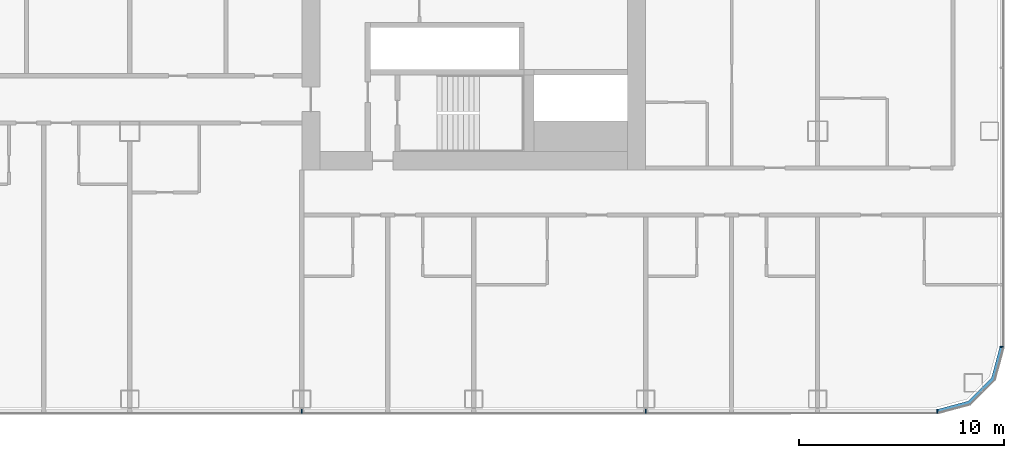
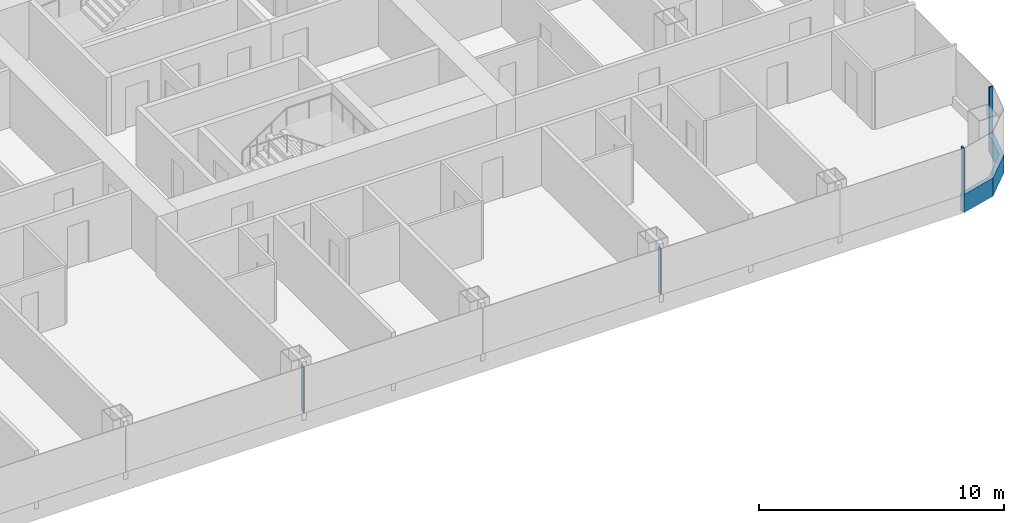
# One storey, part 9 of 29: 5 members, 3 elements without a shape of their own.
"""IFC4 building model written with IfcOpenShell, lengths in metres."""

import ifcopenshell
import ifcopenshell.guid

model = None  # the IFC model being written
_history = None  # IfcOwnerHistory: only IFC2X3 demands one
_inside = {}  # id of a spatial element -> (the spatial element, [elements in it])
_under = {}  # id of a project, library or spatial element -> (it, [spatial elements below it])
_declared = {}  # id of a project -> (the project, [libraries it declares])
_typed = {}  # id of a type object -> (the type object, [elements of that type])
_made_of = {}  # id of a material, layer set ... -> (it, [elements and type objects made of it])


def new_model(schema):
    """Start an empty IFC model of exactly this schema.

    Asked for "IFC4X3", IfcOpenShell would pick the latest addendum, in which some entities
    have other attributes; the version numbers below select the first issue.
    IFC2X3 requires an IfcOwnerHistory on every rooted entity: one is made here for all.
    """
    global model, _history
    if schema == "IFC4X3":
        model = ifcopenshell.file(schema_version=(4, 3, 0, 0))
    else:
        model = ifcopenshell.file(schema=schema)
    _inside.clear()
    _under.clear()
    _declared.clear()
    _typed.clear()
    _made_of.clear()
    _history = None
    if model.schema == "IFC2X3":
        org = make("IfcOrganization", Name="unknown")
        user = make(
            "IfcPersonAndOrganization",
            ThePerson=make("IfcPerson", FamilyName="unknown"),
            TheOrganization=org,
        )
        app = make(
            "IfcApplication",
            ApplicationDeveloper=org,
            Version="unknown",
            ApplicationFullName="unknown",
            ApplicationIdentifier="unknown",
        )
        _history = make(
            "IfcOwnerHistory",
            OwningUser=user,
            OwningApplication=app,
            ChangeAction="ADDED",
            CreationDate=0,
        )
    return model


def make(cls, **values):
    """One entity of the class cls with the attributes given. An attribute that is None is left unset."""
    return model.create_entity(
        cls, **{name: value for name, value in values.items() if value is not None}
    )


def rooted(cls, **values):
    """An entity with a GlobalId (a new one), such as an element, a storey or a relation."""
    return make(cls, GlobalId=ifcopenshell.guid.new(), OwnerHistory=_history, **values)


def si_unit(unit_type, name, prefix=None):
    """IfcSIUnit, for example si_unit("LENGTHUNIT", "METRE", prefix="MILLI")."""
    return make("IfcSIUnit", UnitType=unit_type, Prefix=prefix, Name=name)


def assignment(units):
    """IfcUnitAssignment: the units of a project."""
    return None if units is None else make("IfcUnitAssignment", Units=units)


def point(xyz):
    """IfcCartesianPoint."""
    return None if xyz is None else make("IfcCartesianPoint", Coordinates=xyz)


def direction(xyz):
    """IfcDirection."""
    return None if xyz is None else make("IfcDirection", DirectionRatios=xyz)


def frame(location, z_axis=None, x_axis=None):
    """IfcAxis2Placement3D, a coordinate frame: its origin and axes. An axis left out is left unset."""
    return make(
        "IfcAxis2Placement3D",
        Location=point(location),
        Axis=direction(z_axis),
        RefDirection=direction(x_axis),
    )


def frame_2d(location, x_axis=None):
    """IfcAxis2Placement2D, a coordinate frame in the plane: its origin and x axis."""
    return make(
        "IfcAxis2Placement2D", Location=point(location), RefDirection=direction(x_axis)
    )


def origin():
    """The frame at (0, 0, 0) with its axes left unset."""
    return frame((0.0, 0.0, 0.0))


def origin_2d():
    """The frame at (0, 0) in the plane with its x axis left unset."""
    return frame_2d((0.0, 0.0))


def place(relative_to, where):
    """IfcLocalPlacement: puts the frame where relative to a parent placement (None: the world)."""
    return make(
        "IfcLocalPlacement", PlacementRelTo=relative_to, RelativePlacement=where
    )


def context(
    kind, dimensions, precision=None, world=None, true_north=None, identifier=None
):
    """IfcGeometricRepresentationContext, for example the 3D "Model" context."""
    return make(
        "IfcGeometricRepresentationContext",
        ContextIdentifier=identifier,
        ContextType=kind,
        CoordinateSpaceDimension=dimensions,
        Precision=precision,
        WorldCoordinateSystem=world,
        TrueNorth=true_north,
    )


def subcontext(parent, identifier, kind, view, scale=None):
    """IfcGeometricRepresentationSubContext, for example "Body" below "Model"."""
    return make(
        "IfcGeometricRepresentationSubContext",
        ContextIdentifier=identifier,
        ContextType=kind,
        ParentContext=parent,
        TargetScale=scale,
        TargetView=view,
    )


def project(units=None, contexts=None):
    """IfcProject with its units and contexts."""
    return rooted(
        "IfcProject",
        Name="project",
        RepresentationContexts=contexts,
        UnitsInContext=assignment(units),
    )


def spatial(cls, under=None, at=None, **own):
    """A site, building, storey or space (cls), placed at a placement, below another one or the project."""
    s = rooted(cls, ObjectPlacement=at, **own)
    if under is not None:
        _under.setdefault(under.id(), (under, []))[1].append(s)
    return s


def polyline(points):
    """IfcPolyline through the points."""
    return make("IfcPolyline", Points=[point(p) for p in points])


def profile(cls, at=None, kind="AREA", **sizes):
    """A parametric profile (cls). Its sizes go by their IFC names, for example OverallWidth=200.0."""
    return make(cls, ProfileType=kind, Position=at, **sizes)


def rectangle(**sizes):
    """IfcRectangleProfileDef."""
    return profile("IfcRectangleProfileDef", **sizes)


def outline(outer, holes=None, kind="AREA"):
    """IfcArbitraryClosedProfileDef: a profile drawn as a closed curve; with holes, ...WithVoids."""
    if holes is None:
        return make("IfcArbitraryClosedProfileDef", ProfileType=kind, OuterCurve=outer)
    return make(
        "IfcArbitraryProfileDefWithVoids",
        ProfileType=kind,
        OuterCurve=outer,
        InnerCurves=holes,
    )


def extrude(swept, where, along, depth):
    """IfcExtrudedAreaSolid: the profile swept, set in the frame where, extruded along a direction by depth."""
    return make(
        "IfcExtrudedAreaSolid",
        SweptArea=swept,
        Position=where,
        ExtrudedDirection=direction(along),
        Depth=depth,
    )


def shape(context_of_items, identifier, shape_type, items):
    """IfcShapeRepresentation: the items that make up one representation, for example the "Body"."""
    return make(
        "IfcShapeRepresentation",
        ContextOfItems=context_of_items,
        RepresentationIdentifier=identifier,
        RepresentationType=shape_type,
        Items=items,
    )


def material(Name=None, Category=None):
    """IfcMaterial."""
    return make("IfcMaterial", Name=Name, Category=Category)


def layer(
    of_material, thickness, ventilated=None, Name=None, Category=None, Priority=None
):
    """IfcMaterialLayer: one layer of a wall or slab, of a material (None: an air gap)."""
    return make(
        "IfcMaterialLayer",
        Material=of_material,
        LayerThickness=thickness,
        IsVentilated=ventilated,
        Name=Name,
        Category=Category,
        Priority=Priority,
    )


def layer_set(layers, Name=None):
    """IfcMaterialLayerSet."""
    return make("IfcMaterialLayerSet", MaterialLayers=layers, LayerSetName=Name)


def material_profile(
    of_material, cross_section, Name=None, Category=None, Priority=None
):
    """IfcMaterialProfile: a cross section and its material."""
    return make(
        "IfcMaterialProfile",
        Name=Name,
        Material=of_material,
        Profile=cross_section,
        Priority=Priority,
        Category=Category,
    )


def profile_set(profiles, Name=None, composite=None):
    """IfcMaterialProfileSet."""
    return make(
        "IfcMaterialProfileSet",
        Name=Name,
        MaterialProfiles=profiles,
        CompositeProfile=composite,
    )


def made_of(thing, what):
    """Note that an element or type object is made of a material, layer set ...; save() writes the relation."""
    if what is not None:
        _made_of.setdefault(what.id(), (what, []))[1].append(thing)
    return thing


def type_object(cls, material=None, **own):
    """A type object (cls), such as IfcWallType, which elements share."""
    return made_of(rooted(cls, **own), material)


def element(
    cls,
    number,
    at=None,
    inside=None,
    cuts=None,
    type_object=None,
    material=None,
    context=None,
    identifier="Body",
    shape_type=None,
    held_by="IfcProductDefinitionShape",
    body=None,
    shapes=None,
    **own,
):
    """One element of the class cls, such as IfcWall. Its Tag is "e" and its number.

    at: its placement. inside: the storey or other place that contains it. cuts: it is an
    opening in that element (IfcRelVoidsElement). A single representation is given by context,
    identifier, shape_type and body (its items); several are given by shapes. held_by: the class
    of the entity that holds the representations. save() writes the other relations.
    """
    e = rooted(cls, Tag="e%d" % number, ObjectPlacement=at, **own)
    if body is not None:
        shapes = [shape(context, identifier, shape_type, body)]
    if shapes is not None:
        e.Representation = make(held_by, Representations=shapes)
    if inside is not None:
        _inside.setdefault(inside.id(), (inside, []))[1].append(e)
    if cuts is not None:
        rooted(
            "IfcRelVoidsElement", RelatingBuildingElement=cuts, RelatedOpeningElement=e
        )
    if type_object is not None:
        _typed.setdefault(type_object.id(), (type_object, []))[1].append(e)
    return made_of(e, material)


def aggregate(whole, parts):
    """IfcRelAggregates: a whole, such as a stair, and the parts it consists of."""
    return rooted("IfcRelAggregates", RelatingObject=whole, RelatedObjects=parts)


def save(model, path):
    """Write the relations noted so far, then the file.

    IfcRelAggregates (storeys below a building ...), IfcRelContainedInSpatialStructure (elements
    in a storey), IfcRelDefinesByType, IfcRelAssociatesMaterial and IfcRelDeclares: one each for
    every whole, place, type object, material and project.
    """
    for whole, parts in _under.values():
        aggregate(whole, parts)
    for where, things in _inside.values():
        rooted(
            "IfcRelContainedInSpatialStructure",
            RelatedElements=things,
            RelatingStructure=where,
        )
    for kind, things in _typed.values():
        rooted("IfcRelDefinesByType", RelatedObjects=things, RelatingType=kind)
    for what, things in _made_of.values():
        rooted("IfcRelAssociatesMaterial", RelatedObjects=things, RelatingMaterial=what)
    for by, libraries in _declared.values():
        rooted("IfcRelDeclares", RelatingContext=by, RelatedDefinitions=libraries)
    model.write(path)


model = new_model("IFC4")

# Units and contexts
model_context = context("Model", 3, precision=1e-05, world=origin(), true_north=direction((0.0, 1.0)))
body_context = subcontext(model_context, "Body", "Model", "MODEL_VIEW")
ifc_project = project(units=[si_unit("LENGTHUNIT", "METRE"), si_unit("AREAUNIT", "SQUARE_METRE"), si_unit("VOLUMEUNIT", "CUBIC_METRE"), si_unit("PLANEANGLEUNIT", "RADIAN"), si_unit("MASSUNIT", "GRAM", prefix="KILO")], contexts=[model_context])

# Site, building, storey
site_placement = place(None, origin())
site = spatial("IfcSite", under=ifc_project, at=site_placement, CompositionType="ELEMENT")
building_placement = place(site_placement, origin())
building = spatial("IfcBuilding", under=site, at=building_placement, Name="Hakoniwa Tower and Hamabe Station Hall", CompositionType="ELEMENT")
storey_placement = place(building_placement, frame((0.0, 0.0, 61.39990234375)))
storey = spatial("IfcBuildingStorey", under=building, at=storey_placement, Name="L17", CompositionType="ELEMENT", Elevation=61.39990234375)

# Curtain wall, member
ifc_material_1 = material(Name="Dark low-e laminated glass", Category="glass")
ifc_layer = layer(ifc_material_1, 0.199951171875)
ifc_layer_set = layer_set([ifc_layer], Name="CW-1 UNITISED GUEST")
curtain_wall_type = type_object("IfcCurtainWallType", Name="CW-1 UNITISED GUEST", PredefinedType="NOTDEFINED", material=ifc_layer_set)
curtain_wall_1_placement = place(storey_placement, origin())
curtain_wall_1 = element("IfcCurtainWall", 1, at=curtain_wall_1_placement, inside=storey, type_object=curtain_wall_type, Name="CW-1 curtain wall", PredefinedType="NOTDEFINED")
ifc_material_2 = material(Name="Aluminium 6063-T5 black anodised", Category="aluminium")
ifc_material_profile_1 = material_profile(ifc_material_2, rectangle(XDim=0.199951171875, YDim=0.89990234375, at=origin_2d()), Name="CW SLAB-EDGE BAND 900X200")
ifc_profile_set_1 = profile_set([ifc_material_profile_1], Name="Aluminium 6063-T5 black anodised")
member_type_1 = type_object("IfcMemberType", Name="CW SLAB-EDGE BAND 900X200", PredefinedType="USERDEFINED", material=ifc_profile_set_1)
member_1_placement = place(storey_placement, frame((0.0, 0.0, -0.5498046875)))
member_1 = element("IfcMember", 2, at=member_1_placement, type_object=member_type_1, Name="CW-1 transom", ObjectType="TRANSOM", PredefinedType="USERDEFINED", context=body_context, shape_type="SweptSolid", body=[
    extrude(outline(polyline([(47.839599609375, -20.300048828125), (49.455322265625, -19.866943359375), (50.6669921875, -18.6552734375), (51.10009765625, -17.03955078125), (50.90673828125, -16.98779296875), (50.48779296875, -18.5517578125), (49.351806640625, -19.687744140625), (47.787841796875, -20.10693359375), (47.839599609375, -20.300048828125)])), origin(), (0.0, 0.0, 1.0), 0.89990234375),
])
aggregate(curtain_wall_1, [member_1])

curtain_wall_2_placement = place(storey_placement, origin())
curtain_wall_2 = element("IfcCurtainWall", 3, at=curtain_wall_2_placement, inside=storey, type_object=curtain_wall_type, Name="CW-1 curtain wall", PredefinedType="NOTDEFINED")
ifc_material_3 = material(Name="Aluminium 6063-T5 black anodised", Category="aluminium")
ifc_material_profile_2 = material_profile(ifc_material_3, rectangle(XDim=0.06005859375, YDim=0.179931640625, at=origin_2d()), Name="CW-1 MULLION 60X180")
ifc_profile_set_2 = profile_set([ifc_material_profile_2], Name="Aluminium 6063-T5 black anodised")
member_type_2 = type_object("IfcMemberType", Name="CW-1 MULLION 60X180", PredefinedType="MULLION", material=ifc_profile_set_2)
member_2_placement = place(storey_placement, frame((50.98193359375, -17.03955078125, 0.35009765625), z_axis=(0.0, 0.0, 1.0), x_axis=(0.0, 1.0, 0.0)))
member_2 = element("IfcMember", 4, at=member_2_placement, type_object=member_type_2, Name="CW-1 mullion", PredefinedType="MULLION", context=body_context, shape_type="SweptSolid", body=[
    extrude(rectangle(XDim=0.06005859375, YDim=0.179931640625, at=origin_2d()), origin(), (0.0, 0.0, 1.0), 2.300048828125),
])
aggregate(curtain_wall_2, [member_2])

# Curtain wall, members
curtain_wall_3_placement = place(storey_placement, origin())
curtain_wall_3 = element("IfcCurtainWall", 5, at=curtain_wall_3_placement, inside=storey, type_object=curtain_wall_type, Name="CW-1 curtain wall", PredefinedType="NOTDEFINED")
member_3_placement = place(storey_placement, frame((16.800048828125, -20.181884765625, 0.35009765625), z_axis=(0.0, 0.0, 1.0), x_axis=(1.0, 0.0, 0.0)))
member_3 = element("IfcMember", 6, at=member_3_placement, type_object=member_type_2, Name="CW-1 mullion", PredefinedType="MULLION", context=body_context, shape_type="SweptSolid", body=[
    extrude(rectangle(XDim=0.06005859375, YDim=0.179931640625, at=origin_2d()), origin(), (0.0, 0.0, 1.0), 2.300048828125),
])
member_4_placement = place(storey_placement, frame((33.60009765625, -20.181884765625, 0.35009765625), z_axis=(0.0, 0.0, 1.0), x_axis=(1.0, 0.0, 0.0)))
member_4 = element("IfcMember", 7, at=member_4_placement, type_object=member_type_2, Name="CW-1 mullion", PredefinedType="MULLION", context=body_context, shape_type="SweptSolid", body=[
    extrude(rectangle(XDim=0.06005859375, YDim=0.179931640625, at=origin_2d()), origin(), (0.0, 0.0, 1.0), 2.300048828125),
])
member_5_placement = place(storey_placement, frame((47.839599609375, -20.181884765625, 0.35009765625), z_axis=(0.0, 0.0, 1.0), x_axis=(1.0, 0.0, 0.0)))
member_5 = element("IfcMember", 8, at=member_5_placement, type_object=member_type_2, Name="CW-1 mullion", PredefinedType="MULLION", context=body_context, shape_type="SweptSolid", body=[
    extrude(rectangle(XDim=0.06005859375, YDim=0.179931640625, at=origin_2d()), origin(), (0.0, 0.0, 1.0), 2.300048828125),
])
aggregate(curtain_wall_3, [member_3, member_4, member_5])

save(model, "model.ifc")
